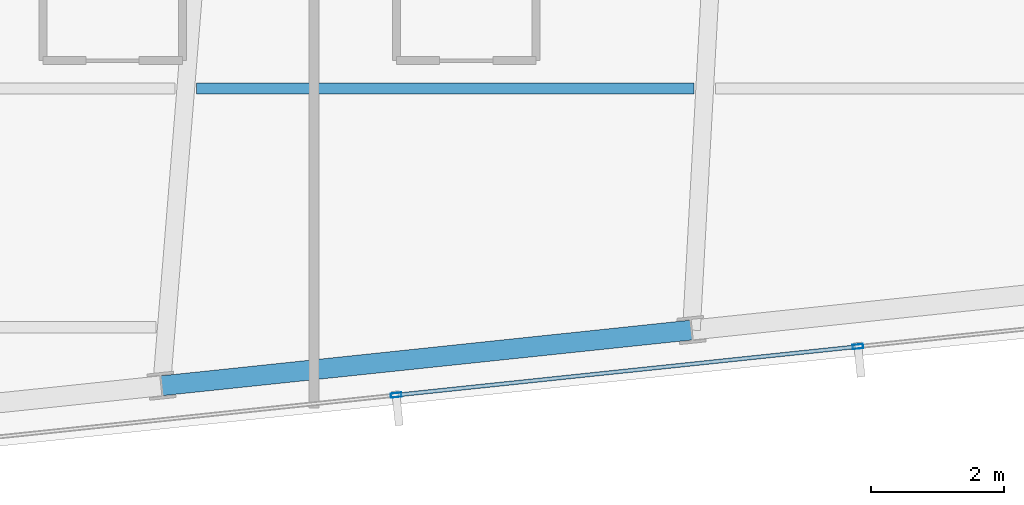
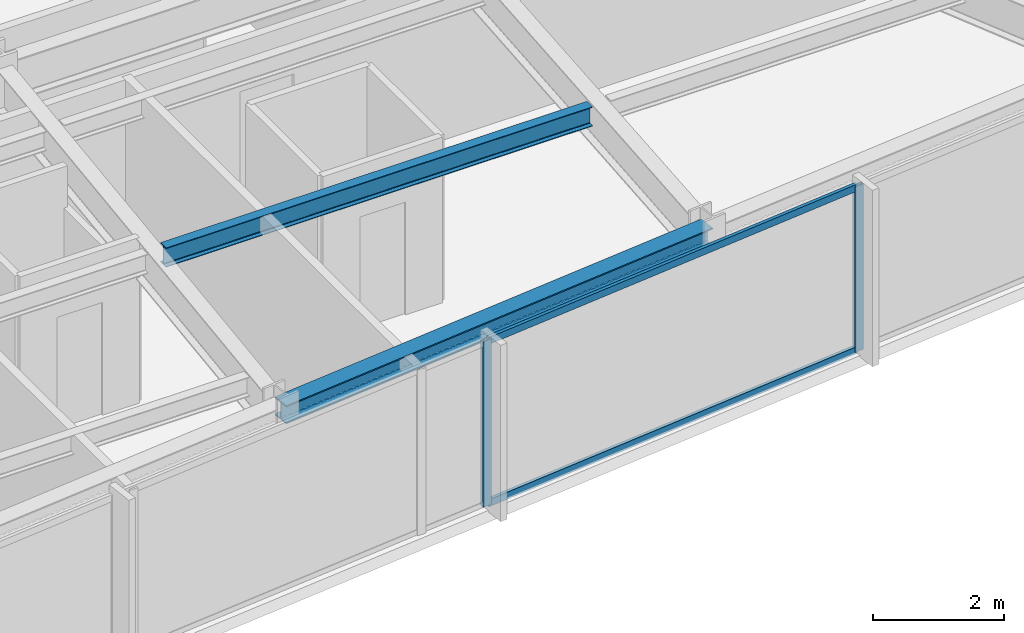
# One storey, part 14 of 33: 4 members, 2 beams, 1 element without a shape of its own.
"""IFC4 building model written with IfcOpenShell, lengths in metres."""

from ifc_helpers import new_model, si_unit, direction, frame, origin, origin_2d, place, context, subcontext, project, spatial, hollow_rectangle, i_section, extrude, material, material_profile, profile_set, type_object, element, aggregate, save


model = new_model("IFC4")

# Units and contexts
model_context = context("Model", 3, precision=1e-05, world=origin(), true_north=direction((0.0, 1.0)))
body_context = subcontext(model_context, "Body", "Model", "MODEL_VIEW")
ifc_project = project(units=[si_unit("LENGTHUNIT", "METRE"), si_unit("AREAUNIT", "SQUARE_METRE"), si_unit("VOLUMEUNIT", "CUBIC_METRE"), si_unit("PLANEANGLEUNIT", "RADIAN"), si_unit("MASSUNIT", "GRAM", prefix="KILO")], contexts=[model_context])

# Site, building, storey
site_placement = place(None, origin())
site = spatial("IfcSite", under=ifc_project, at=site_placement, CompositionType="ELEMENT")
building_placement = place(site_placement, origin())
building = spatial("IfcBuilding", under=site, at=building_placement, Name="Yelkora Congress Tower", CompositionType="ELEMENT")
storey_placement = place(building_placement, frame((0.0, 0.0, 224.300048828125)))
storey = spatial("IfcBuildingStorey", under=building, at=storey_placement, Name="L62", CompositionType="ELEMENT", Elevation=224.300048828125)

# Beams
ifc_material_1 = material(Name="Steel S355J2", Category="steel")
ifc_material_profile_1 = material_profile(ifc_material_1, i_section(OverallWidth=0.169921875, OverallDepth=0.360107421875, WebThickness=0.008056640625, FlangeThickness=0.0126953125, FilletRadius=0.01806640625, at=origin_2d()), Name="IPE 360")
ifc_profile_set_1 = profile_set([ifc_material_profile_1], Name="Steel S355J2")
beam_type_1 = type_object("IfcBeamType", Name="BM-JOIST-IPE360", PredefinedType="JOIST", material=ifc_profile_set_1)
beam_1_placement = place(storey_placement, frame((45.791259765625, 19.678466796875, 2.89990234375), z_axis=(1.0, 0.0, 0.0), x_axis=(0.0, 1.0, 0.0)))
element("IfcBeam", 1, at=beam_1_placement, inside=storey, type_object=beam_type_1, Name="L62 Composite Floor Joist 6", PredefinedType="JOIST", context=body_context, shape_type="SweptSolid", body=[
    extrude(i_section(OverallWidth=0.169921875, OverallDepth=0.360107421875, WebThickness=0.008056640625, FlangeThickness=0.0126953125, FilletRadius=0.01806640625, at=origin_2d()), origin(), (0.0, 0.0, 1.0), 7.505126953125),
])
ifc_material_profile_2 = material_profile(ifc_material_1, i_section(OverallWidth=0.300048828125, OverallDepth=0.340087890625, WebThickness=0.011962890625, FlangeThickness=0.021484375, FilletRadius=0.027099609375, at=origin_2d()), Name="HEB 340")
ifc_profile_set_2 = profile_set([ifc_material_profile_2], Name="Steel S355J2")
beam_type_2 = type_object("IfcBeamType", Name="BM-SPAN-HEB340", PredefinedType="SPANDREL", material=ifc_profile_set_2)
beam_2_placement = place(storey_placement, frame((45.26708984375, 15.197509765625, 2.909912109375), z_axis=(0.994520097542, 0.104545567032, 0.0), x_axis=(-0.104545567032, 0.994520097542, 0.0)))
element("IfcBeam", 2, at=beam_2_placement, inside=storey, type_object=beam_type_2, Name="L62 Perimeter Beam 6", PredefinedType="SPANDREL", context=body_context, shape_type="SweptSolid", body=[
    extrude(i_section(OverallWidth=0.300048828125, OverallDepth=0.340087890625, WebThickness=0.011962890625, FlangeThickness=0.021484375, FilletRadius=0.027099609375, at=origin_2d()), origin(), (0.0, 0.0, 1.0), 8.033203125),
])

# Curtain wall, members
ifc_material_2 = material(Name="Anodised aluminium and insulated glass", Category="aluminium")
curtain_wall_type = type_object("IfcCurtainWallType", Name="CW-SYS-B4", PredefinedType="NOTDEFINED", material=ifc_material_2)
curtain_wall_placement = place(storey_placement, origin())
curtain_wall = element("IfcCurtainWall", 3, at=curtain_wall_placement, inside=storey, type_object=curtain_wall_type, Name="L62 Unitised Curtain Wall 20", PredefinedType="NOTDEFINED")
ifc_material_3 = material(Name="Anodised aluminium 6063-T6", Category="aluminium")
ifc_material_profile_3 = material_profile(ifc_material_3, hollow_rectangle(XDim=0.06494140625, YDim=0.159912109375, WallThickness=0.00390625, at=origin_2d()), Name="ALU 65x160x4")
ifc_profile_set_3 = profile_set([ifc_material_profile_3], Name="Anodised aluminium 6063-T6")
member_type_1 = type_object("IfcMemberType", Name="MEM-ML-B4", PredefinedType="MULLION", material=ifc_profile_set_3)
member_1_placement = place(storey_placement, frame((55.76708984375, 15.788330078125, 0.0), z_axis=(0.0, 0.0, 1.0), x_axis=(0.104526664994, -0.994522084373, 0.0)))
member_1 = element("IfcMember", 4, at=member_1_placement, type_object=member_type_1, Name="CW-B4 mullion 3", PredefinedType="MULLION", context=body_context, shape_type="SweptSolid", body=[
    extrude(hollow_rectangle(XDim=0.06494140625, YDim=0.159912109375, WallThickness=0.00390625, at=origin_2d()), origin(), (0.0, 0.0, 1.0), 3.079833984375),
])
member_2_placement = place(storey_placement, frame((48.802490234375, 15.056396484375, 0.0), z_axis=(0.0, 0.0, 1.0), x_axis=(0.104526664994, -0.994522084373, 0.0)))
member_2 = element("IfcMember", 5, at=member_2_placement, type_object=member_type_1, Name="CW-B4 mullion 4", PredefinedType="MULLION", context=body_context, shape_type="SweptSolid", body=[
    extrude(hollow_rectangle(XDim=0.06494140625, YDim=0.159912109375, WallThickness=0.00390625, at=origin_2d()), origin(), (0.0, 0.0, 1.0), 3.079833984375),
])
ifc_material_profile_4 = material_profile(ifc_material_3, hollow_rectangle(XDim=0.06005859375, YDim=0.1298828125, WallThickness=0.00390625, at=origin_2d()), Name="ALU 60x130x4")
ifc_profile_set_4 = profile_set([ifc_material_profile_4], Name="Anodised aluminium 6063-T6")
member_type_2 = type_object("IfcMemberType", Name="MEM-TR-B4", PredefinedType="USERDEFINED", material=ifc_profile_set_4)
member_3_placement = place(storey_placement, frame((55.73486328125, 15.784912109375, 0.030029296875), z_axis=(-0.99452356298, -0.104512595784, 0.0), x_axis=(0.104512595784, -0.99452356298, 0.0)))
member_3 = element("IfcMember", 6, at=member_3_placement, type_object=member_type_2, Name="CW-B4 transom 3.1", ObjectType="TRANSOM", PredefinedType="USERDEFINED", context=body_context, shape_type="SweptSolid", body=[
    extrude(hollow_rectangle(XDim=0.06005859375, YDim=0.1298828125, WallThickness=0.00390625, at=origin_2d()), origin(), (0.0, 0.0, 1.0), 6.93798828125),
])
member_4_placement = place(storey_placement, frame((55.73486328125, 15.784912109375, 3.050048828125), z_axis=(-0.99452356298, -0.104512595784, 0.0), x_axis=(0.104512595784, -0.99452356298, 0.0)))
member_4 = element("IfcMember", 7, at=member_4_placement, type_object=member_type_2, Name="CW-B4 transom 3.2", ObjectType="TRANSOM", PredefinedType="USERDEFINED", context=body_context, shape_type="SweptSolid", body=[
    extrude(hollow_rectangle(XDim=0.06005859375, YDim=0.1298828125, WallThickness=0.00390625, at=origin_2d()), origin(), (0.0, 0.0, 1.0), 6.93798828125),
])
aggregate(curtain_wall, [member_1, member_2, member_3, member_4])

save(model, "model.ifc")
